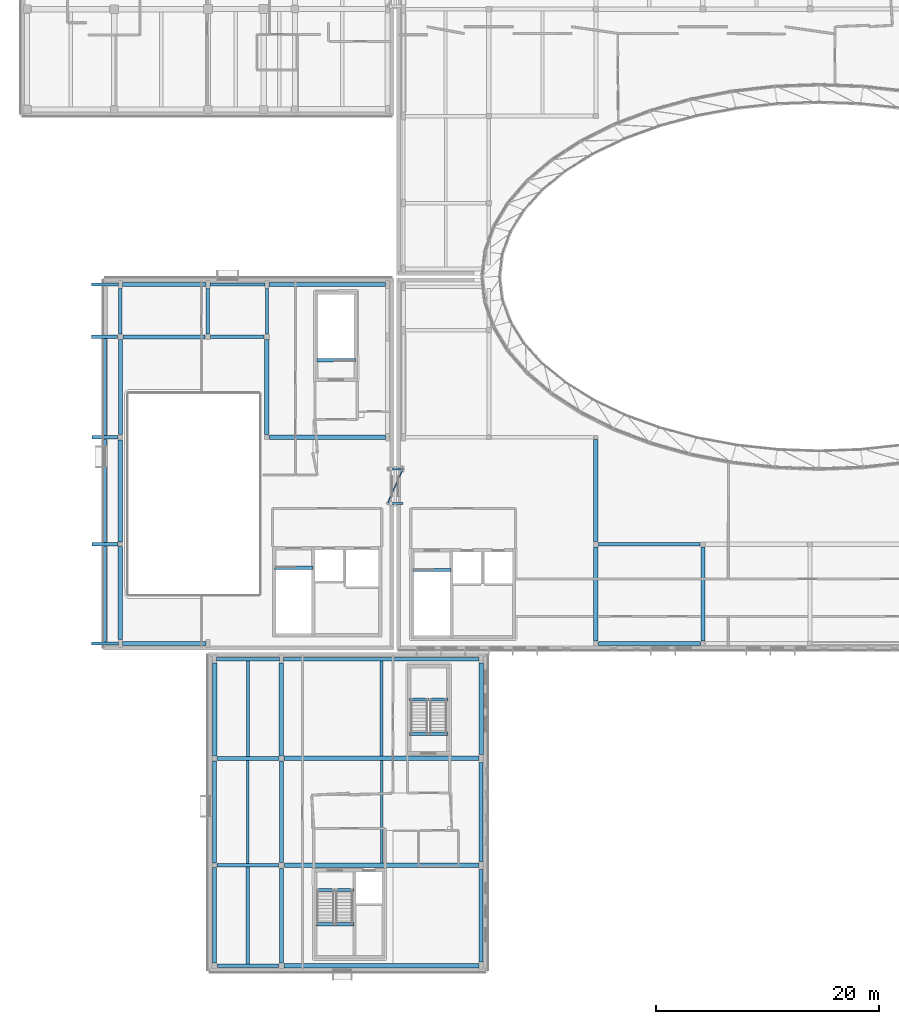
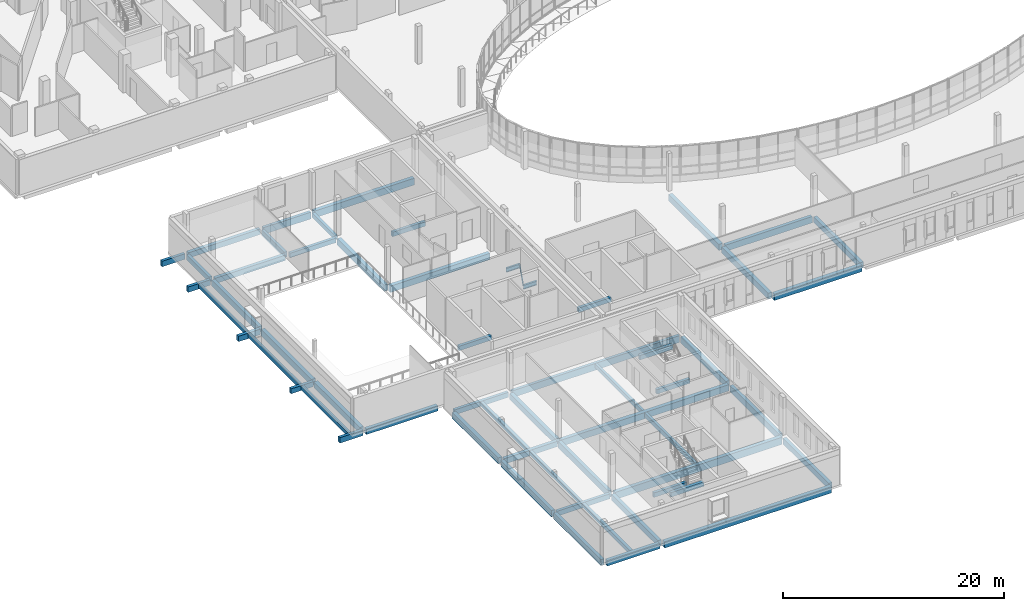
# One storey, part 9 of 73: 58 beams, 1 member.
"""IFC4 building model written with IfcOpenShell, lengths in metres."""

from ifc_helpers import new_model, si_unit, direction, frame, origin, origin_2d, place, context, subcontext, project, spatial, rectangle, hollow_rectangle, i_section, extrude, material, material_profile, profile_set, type_object, element, save


model = new_model("IFC4")

# Units and contexts
model_context = context("Model", 3, precision=1e-05, world=origin(), true_north=direction((0.0, 1.0)))
body_context = subcontext(model_context, "Body", "Model", "MODEL_VIEW")
ifc_project = project(units=[si_unit("LENGTHUNIT", "METRE"), si_unit("AREAUNIT", "SQUARE_METRE"), si_unit("VOLUMEUNIT", "CUBIC_METRE"), si_unit("PLANEANGLEUNIT", "RADIAN"), si_unit("MASSUNIT", "GRAM", prefix="KILO")], contexts=[model_context])

# Site, building, storey
site_placement = place(None, origin())
site = spatial("IfcSite", under=ifc_project, at=site_placement, CompositionType="ELEMENT")
building_placement = place(site_placement, origin())
building = spatial("IfcBuilding", under=site, at=building_placement, Name="Mzevani Central Library", CompositionType="ELEMENT")
storey_placement = place(building_placement, frame((0.0, 0.0, 9.60009765625)))
storey = spatial("IfcBuildingStorey", under=building, at=storey_placement, Name="L02", CompositionType="ELEMENT", Elevation=9.60009765625)

# Beams
ifc_material_1 = material(Name="Concrete C35/45", Category="concrete")
ifc_material_profile_1 = material_profile(ifc_material_1, rectangle(XDim=0.300048828125, YDim=0.5, at=origin_2d()), Name="RC B300x500")
ifc_profile_set_1 = profile_set([ifc_material_profile_1], Name="Concrete C35/45")
beam_type_1 = type_object("IfcBeamType", Name="Beam RC 300x500", PredefinedType="BEAM", material=ifc_profile_set_1)
beam_1_placement = place(storey_placement, frame((29.449951171875, 70.60009765625, -0.510009765625), z_axis=(1.0, 0.0, 0.0), x_axis=(0.0, 1.0, 0.0)))
element("IfcBeam", 1, at=beam_1_placement, inside=storey, type_object=beam_type_1, Name="L02 V5 Girder B-01 (992)", PredefinedType="BEAM", context=body_context, shape_type="SweptSolid", body=[
    extrude(rectangle(XDim=0.300048828125, YDim=0.5, at=origin_2d()), origin(), (0.0, 0.0, 1.0), 4.800048828125),
])
beam_2_placement = place(storey_placement, frame((34.5, 70.85009765625, -0.510009765625), z_axis=(0.0, 1.0, 0.0), x_axis=(-1.0, 0.0, 0.0)))
element("IfcBeam", 2, at=beam_2_placement, inside=storey, type_object=beam_type_1, Name="L02 V5 Frame Beam B-01 (1012)", PredefinedType="BEAM", context=body_context, shape_type="SweptSolid", body=[
    extrude(rectangle(XDim=0.300048828125, YDim=0.5, at=origin_2d()), origin(), (0.0, 0.0, 1.0), 4.099853515625),
])
beam_3_placement = place(storey_placement, frame((47.580078125, 49.699951171875, -0.25), z_axis=(1.0, 0.0, 0.0), x_axis=(0.0, 1.0, 0.0)))
element("IfcBeam", 3, at=beam_3_placement, inside=storey, type_object=beam_type_1, Name="L02 Core C1A Reading Hall West Stair Opening Trimmer Beam", PredefinedType="BEAM", context=body_context, shape_type="SweptSolid", body=[
    extrude(rectangle(XDim=0.300048828125, YDim=0.5, at=origin_2d()), origin(), (0.0, 0.0, 1.0), 3.43994140625),
])
for number, where, z_axis, x_axis, name in (
    (4, (38.8798828125, 17.919921875, 1.64990234375), (1.0, 0.0, 0.0), (0.0, 1.0, 0.0), "L02 Core C4A Cultural Wing Core Stair Landing Beam 1"),
    (5, (38.8798828125, 21.0, -0.25), (1.0, 0.0, 0.0), (0.0, 1.0, 0.0), "L02 Core C4A Cultural Wing Core Stair Opening Trimmer Beam"),
):
    element("IfcBeam", number, at=place(storey_placement, frame(where, z_axis=z_axis, x_axis=x_axis)), inside=storey, type_object=beam_type_1, Name=name, PredefinedType="BEAM", context=body_context, shape_type="SweptSolid", body=[
        extrude(rectangle(XDim=0.300048828125, YDim=0.5, at=origin_2d()), origin(), (0.0, 0.0, 1.0), 3.440185546875),
    ])
for number, where, z_axis, x_axis, name in (
    (6, (47.280029296875, 38.080078125, 1.64990234375), (1.0, 0.0, 0.0), (0.0, 1.0, 0.0), "L02 Core C4B Square South Escape Stair Stair Landing Beam 1"),
    (7, (47.280029296875, 35.0, -0.25), (1.0, 0.0, 0.0), (0.0, 1.0, 0.0), "L02 Core C4B Square South Escape Stair Stair Opening Trimmer Beam"),
):
    element("IfcBeam", number, at=place(storey_placement, frame(where, z_axis=z_axis, x_axis=x_axis)), inside=storey, type_object=beam_type_1, Name=name, PredefinedType="BEAM", context=body_context, shape_type="SweptSolid", body=[
        extrude(rectangle(XDim=0.300048828125, YDim=0.5, at=origin_2d()), origin(), (0.0, 0.0, 1.0), 3.43994140625),
    ])
beam_4_placement = place(storey_placement, frame((35.179931640625, 49.89990234375, -0.25), z_axis=(1.0, 0.0, 0.0), x_axis=(0.0, 1.0, 0.0)))
element("IfcBeam", 8, at=beam_4_placement, inside=storey, type_object=beam_type_1, Name="L02 Core C5A Auditorium & Goods Core Stair Opening Trimmer Beam", PredefinedType="BEAM", context=body_context, shape_type="SweptSolid", body=[
    extrude(rectangle(XDim=0.300048828125, YDim=0.5, at=origin_2d()), origin(), (0.0, 0.0, 1.0), 3.440185546875),
])
beam_5_placement = place(storey_placement, frame((38.97998046875, 68.5, -0.25), z_axis=(1.0, 0.0, 0.0), x_axis=(0.0, 1.0, 0.0)))
element("IfcBeam", 9, at=beam_5_placement, inside=storey, type_object=beam_type_1, Name="L02 Core C5B Lecture North Escape Stair Stair Opening Trimmer Beam", PredefinedType="BEAM", context=body_context, shape_type="SweptSolid", body=[
    extrude(rectangle(XDim=0.300048828125, YDim=0.5, at=origin_2d()), origin(), (0.0, 0.0, 1.0), 3.43994140625),
])
ifc_material_profile_2 = material_profile(ifc_material_1, rectangle(XDim=0.300048828125, YDim=0.550048828125, at=origin_2d()), Name="RC B300x550")
ifc_profile_set_2 = profile_set([ifc_material_profile_2], Name="Concrete C35/45")
beam_type_2 = type_object("IfcBeamType", Name="Beam RC 300x550", PredefinedType="BEAM", material=ifc_profile_set_2)
beam_6_placement = place(storey_placement, frame((30.0, 23.199951171875, -0.53515625), z_axis=(1.0, 0.0, 0.0), x_axis=(0.0, 1.0, 0.0)))
element("IfcBeam", 10, at=beam_6_placement, inside=storey, type_object=beam_type_2, Name="L02 V4 Girder B-02 (841)", PredefinedType="BEAM", context=body_context, shape_type="SweptSolid", body=[
    extrude(rectangle(XDim=0.300048828125, YDim=0.550048828125, at=origin_2d()), origin(), (0.0, 0.0, 1.0), 5.52490234375),
])
beam_7_placement = place(storey_placement, frame((29.97509765625, 41.699951171875, -0.53515625), z_axis=(1.0, 0.0, 0.0), x_axis=(0.0, 1.0, 0.0)))
element("IfcBeam", 11, at=beam_7_placement, inside=storey, type_object=beam_type_2, Name="L02 V4 Girder B-02 (845)", PredefinedType="BEAM", context=body_context, shape_type="SweptSolid", body=[
    extrude(rectangle(XDim=0.300048828125, YDim=0.550048828125, at=origin_2d()), origin(), (0.0, 0.0, 1.0), 5.64990234375),
])
beam_8_placement = place(storey_placement, frame((18.800048828125, 52.0, -0.53515625), z_axis=(1.0, 0.0, 0.0), x_axis=(0.0, 1.0, 0.0)))
element("IfcBeam", 12, at=beam_8_placement, inside=storey, type_object=beam_type_2, Name="L02 V5 Girder B-02 (985)", PredefinedType="BEAM", context=body_context, shape_type="SweptSolid", body=[
    extrude(rectangle(XDim=0.300048828125, YDim=0.550048828125, at=origin_2d()), origin(), (0.0, 0.0, 1.0), 2.349853515625),
])
beam_9_placement = place(storey_placement, frame((21.35009765625, 70.85009765625, -0.53515625), z_axis=(0.0, 1.0, 0.0), x_axis=(-1.0, 0.0, 0.0)))
element("IfcBeam", 13, at=beam_9_placement, inside=storey, type_object=beam_type_2, Name="L02 V5 Frame Beam B-02 (1009)", PredefinedType="BEAM", context=body_context, shape_type="SweptSolid", body=[
    extrude(rectangle(XDim=0.300048828125, YDim=0.550048828125, at=origin_2d()), origin(), (0.0, 0.0, 1.0), 4.099853515625),
])
ifc_material_profile_3 = material_profile(ifc_material_1, rectangle(XDim=0.300048828125, YDim=0.60009765625, at=origin_2d()), Name="RC B300x600")
ifc_profile_set_3 = profile_set([ifc_material_profile_3], Name="Concrete C35/45")
beam_type_3 = type_object("IfcBeamType", Name="Beam RC 300x600", PredefinedType="BEAM", material=ifc_profile_set_3)
beam_10_placement = place(storey_placement, frame((18.77490234375, 43.10009765625, -0.56005859375), z_axis=(1.0, 0.0, 0.0), x_axis=(0.0, 1.0, 0.0)))
element("IfcBeam", 14, at=beam_10_placement, inside=storey, type_object=beam_type_3, Name="L02 V5 Girder B-03 (982)", PredefinedType="BEAM", context=body_context, shape_type="SweptSolid", body=[
    extrude(rectangle(XDim=0.300048828125, YDim=0.60009765625, at=origin_2d()), origin(), (0.0, 0.0, 1.0), 2.400146484375),
])
beam_11_placement = place(storey_placement, frame((18.77490234375, 70.60009765625, -0.56005859375), z_axis=(1.0, 0.0, 0.0), x_axis=(0.0, 1.0, 0.0)))
element("IfcBeam", 15, at=beam_11_placement, inside=storey, type_object=beam_type_3, Name="L02 V5 Girder B-03 (990)", PredefinedType="BEAM", context=body_context, shape_type="SweptSolid", body=[
    extrude(rectangle(XDim=0.300048828125, YDim=0.60009765625, at=origin_2d()), origin(), (0.0, 0.0, 1.0), 2.3251953125),
])
beam_12_placement = place(storey_placement, frame((18.77490234375, 75.300048828125, -0.56005859375), z_axis=(1.0, 0.0, 0.0), x_axis=(0.0, 1.0, 0.0)))
element("IfcBeam", 16, at=beam_12_placement, inside=storey, type_object=beam_type_3, Name="L02 V5 Girder B-03 (994)", PredefinedType="BEAM", context=body_context, shape_type="SweptSolid", body=[
    extrude(rectangle(XDim=0.300048828125, YDim=0.60009765625, at=origin_2d()), origin(), (0.0, 0.0, 1.0), 2.400146484375),
])
beam_13_placement = place(storey_placement, frame((29.199951171875, 70.85009765625, -0.56005859375), z_axis=(0.0, 1.0, 0.0), x_axis=(-1.0, 0.0, 0.0)))
element("IfcBeam", 17, at=beam_13_placement, inside=storey, type_object=beam_type_3, Name="L02 V5 Frame Beam B-03 (1010)", PredefinedType="BEAM", context=body_context, shape_type="SweptSolid", body=[
    extrude(rectangle(XDim=0.300048828125, YDim=0.60009765625, at=origin_2d()), origin(), (0.0, 0.0, 1.0), 4.099853515625),
])
ifc_material_profile_4 = material_profile(ifc_material_1, rectangle(XDim=0.35009765625, YDim=0.60009765625, at=origin_2d()), Name="RC B350x600")
ifc_profile_set_4 = profile_set([ifc_material_profile_4], Name="Concrete C35/45")
beam_type_4 = type_object("IfcBeamType", Name="Beam RC 350x600", PredefinedType="BEAM", material=ifc_profile_set_4)
beam_14_placement = place(storey_placement, frame((30.050048828125, 14.199951171875, -0.56005859375), z_axis=(1.0, 0.0, 0.0), x_axis=(0.0, 1.0, 0.0)))
element("IfcBeam", 18, at=beam_14_placement, inside=storey, type_object=beam_type_4, Name="L02 V4 Girder B-04 (839)", PredefinedType="BEAM", context=body_context, shape_type="SweptSolid", body=[
    extrude(rectangle(XDim=0.35009765625, YDim=0.60009765625, at=origin_2d()), origin(), (0.0, 0.0, 1.0), 5.5),
])
beam_15_placement = place(storey_placement, frame((30.02490234375, 32.800048828125, -0.56005859375), z_axis=(1.0, 0.0, 0.0), x_axis=(0.0, 1.0, 0.0)))
element("IfcBeam", 19, at=beam_15_placement, inside=storey, type_object=beam_type_4, Name="L02 V4 Girder B-04 (843)", PredefinedType="BEAM", context=body_context, shape_type="SweptSolid", body=[
    extrude(rectangle(XDim=0.35009765625, YDim=0.60009765625, at=origin_2d()), origin(), (0.0, 0.0, 1.0), 5.550048828125),
])
beam_16_placement = place(storey_placement, frame((21.52490234375, 43.10009765625, -0.56005859375), z_axis=(1.0, 0.0, 0.0), x_axis=(0.0, 1.0, 0.0)))
element("IfcBeam", 20, at=beam_16_placement, inside=storey, type_object=beam_type_4, Name="L02 V5 Girder B-04 (983)", PredefinedType="BEAM", context=body_context, shape_type="SweptSolid", body=[
    extrude(rectangle(XDim=0.35009765625, YDim=0.60009765625, at=origin_2d()), origin(), (0.0, 0.0, 1.0), 7.5),
])
beam_17_placement = place(storey_placement, frame((18.824951171875, 61.60009765625, -0.56005859375), z_axis=(1.0, 0.0, 0.0), x_axis=(0.0, 1.0, 0.0)))
element("IfcBeam", 21, at=beam_17_placement, inside=storey, type_object=beam_type_4, Name="L02 V5 Girder B-04 (987)", PredefinedType="BEAM", context=body_context, shape_type="SweptSolid", body=[
    extrude(rectangle(XDim=0.35009765625, YDim=0.60009765625, at=origin_2d()), origin(), (0.0, 0.0, 1.0), 2.300048828125),
])
beam_18_placement = place(storey_placement, frame((21.60009765625, 70.60009765625, -0.56005859375), z_axis=(1.0, 0.0, 0.0), x_axis=(0.0, 1.0, 0.0)))
element("IfcBeam", 22, at=beam_18_placement, inside=storey, type_object=beam_type_4, Name="L02 V5 Girder B-04 (991)", PredefinedType="BEAM", context=body_context, shape_type="SweptSolid", body=[
    extrude(rectangle(XDim=0.35009765625, YDim=0.60009765625, at=origin_2d()), origin(), (0.0, 0.0, 1.0), 7.349853515625),
])
beam_19_placement = place(storey_placement, frame((21.52490234375, 75.300048828125, -0.56005859375), z_axis=(1.0, 0.0, 0.0), x_axis=(0.0, 1.0, 0.0)))
element("IfcBeam", 23, at=beam_19_placement, inside=storey, type_object=beam_type_4, Name="L02 V5 Girder B-04 (995)", PredefinedType="BEAM", context=body_context, shape_type="SweptSolid", body=[
    extrude(rectangle(XDim=0.35009765625, YDim=0.60009765625, at=origin_2d()), origin(), (0.0, 0.0, 1.0), 7.5),
])
ifc_material_profile_5 = material_profile(ifc_material_1, rectangle(XDim=0.35009765625, YDim=0.64990234375, at=origin_2d()), Name="RC B350x650")
ifc_profile_set_5 = profile_set([ifc_material_profile_5], Name="Concrete C35/45")
beam_type_5 = type_object("IfcBeamType", Name="Beam RC 350x650", PredefinedType="BEAM", material=ifc_profile_set_5)
beam_20_placement = place(storey_placement, frame((73.60009765625, 43.324951171875, -0.585205078125), z_axis=(0.0, 1.0, 0.0), x_axis=(-1.0, 0.0, 0.0)))
element("IfcBeam", 24, at=beam_20_placement, inside=storey, type_object=beam_type_5, Name="L02 V1 Frame Beam B-05 (120)", PredefinedType="BEAM", context=body_context, shape_type="SweptSolid", body=[
    extrude(rectangle(XDim=0.35009765625, YDim=0.64990234375, at=origin_2d()), origin(), (0.0, 0.0, 1.0), 8.425048828125),
])
beam_21_placement = place(storey_placement, frame((29.800048828125, 14.449951171875, -0.585205078125), z_axis=(0.0, 1.0, 0.0), x_axis=(-1.0, 0.0, 0.0)))
element("IfcBeam", 25, at=beam_21_placement, inside=storey, type_object=beam_type_5, Name="L02 V4 Frame Beam B-05 (848)", PredefinedType="BEAM", context=body_context, shape_type="SweptSolid", body=[
    extrude(rectangle(XDim=0.35009765625, YDim=0.64990234375, at=origin_2d()), origin(), (0.0, 0.0, 1.0), 8.550048828125),
])
beam_22_placement = place(storey_placement, frame((35.800048828125, 14.449951171875, -0.585205078125), z_axis=(0.0, 1.0, 0.0), x_axis=(-1.0, 0.0, 0.0)))
element("IfcBeam", 26, at=beam_22_placement, inside=storey, type_object=beam_type_5, Name="L02 V4 Frame Beam B-05 (852)", PredefinedType="BEAM", context=body_context, shape_type="SweptSolid", body=[
    extrude(rectangle(XDim=0.35009765625, YDim=0.64990234375, at=origin_2d()), origin(), (0.0, 0.0, 1.0), 8.47509765625),
])
beam_23_placement = place(storey_placement, frame((53.699951171875, 14.550048828125, -0.585205078125), z_axis=(0.0, 1.0, 0.0), x_axis=(-1.0, 0.0, 0.0)))
element("IfcBeam", 27, at=beam_23_placement, inside=storey, type_object=beam_type_5, Name="L02 V4 Frame Beam B-05 (856)", PredefinedType="BEAM", context=body_context, shape_type="SweptSolid", body=[
    extrude(rectangle(XDim=0.35009765625, YDim=0.64990234375, at=origin_2d()), origin(), (0.0, 0.0, 1.0), 8.300048828125),
])
beam_24_placement = place(storey_placement, frame((21.35009765625, 61.824951171875, -0.585205078125), z_axis=(0.0, 1.0, 0.0), x_axis=(-1.0, 0.0, 0.0)))
element("IfcBeam", 28, at=beam_24_placement, inside=storey, type_object=beam_type_5, Name="L02 V5 Frame Beam B-05 (1008)", PredefinedType="BEAM", context=body_context, shape_type="SweptSolid", body=[
    extrude(rectangle(XDim=0.35009765625, YDim=0.64990234375, at=origin_2d()), origin(), (0.0, 0.0, 1.0), 8.525146484375),
])
ifc_material_profile_6 = material_profile(ifc_material_1, rectangle(XDim=0.35009765625, YDim=0.699951171875, at=origin_2d()), Name="RC B350x700")
ifc_profile_set_6 = profile_set([ifc_material_profile_6], Name="Concrete C35/45")
beam_type_6 = type_object("IfcBeamType", Name="Beam RC 350x700", PredefinedType="BEAM", material=ifc_profile_set_6)
beam_25_placement = place(storey_placement, frame((64.25, 52.0, -0.610107421875), z_axis=(1.0, 0.0, 0.0), x_axis=(0.0, 1.0, 0.0)))
element("IfcBeam", 29, at=beam_25_placement, inside=storey, type_object=beam_type_6, Name="L02 V1 Girder B-06 (93)", PredefinedType="BEAM", context=body_context, shape_type="SweptSolid", body=[
    extrude(rectangle(XDim=0.35009765625, YDim=0.699951171875, at=origin_2d()), origin(), (0.0, 0.0, 1.0), 9.10009765625),
])
beam_26_placement = place(storey_placement, frame((29.800048828125, 23.39990234375, -0.610107421875), z_axis=(0.0, 1.0, 0.0), x_axis=(-1.0, 0.0, 0.0)))
element("IfcBeam", 30, at=beam_26_placement, inside=storey, type_object=beam_type_6, Name="L02 V4 Frame Beam B-06 (849)", PredefinedType="BEAM", context=body_context, shape_type="SweptSolid", body=[
    extrude(rectangle(XDim=0.35009765625, YDim=0.699951171875, at=origin_2d()), origin(), (0.0, 0.0, 1.0), 9.175048828125),
])
beam_27_placement = place(storey_placement, frame((35.800048828125, 23.47509765625, -0.610107421875), z_axis=(0.0, 1.0, 0.0), x_axis=(-1.0, 0.0, 0.0)))
element("IfcBeam", 31, at=beam_27_placement, inside=storey, type_object=beam_type_6, Name="L02 V4 Frame Beam B-06 (853)", PredefinedType="BEAM", context=body_context, shape_type="SweptSolid", body=[
    extrude(rectangle(XDim=0.35009765625, YDim=0.699951171875, at=origin_2d()), origin(), (0.0, 0.0, 1.0), 9.099853515625),
])
beam_28_placement = place(storey_placement, frame((53.699951171875, 23.550048828125, -0.610107421875), z_axis=(0.0, 1.0, 0.0), x_axis=(-1.0, 0.0, 0.0)))
element("IfcBeam", 32, at=beam_28_placement, inside=storey, type_object=beam_type_6, Name="L02 V4 Frame Beam B-06 (857)", PredefinedType="BEAM", context=body_context, shape_type="SweptSolid", body=[
    extrude(rectangle(XDim=0.35009765625, YDim=0.699951171875, at=origin_2d()), origin(), (0.0, 0.0, 1.0), 8.89990234375),
])
ifc_material_profile_7 = material_profile(ifc_material_1, rectangle(XDim=0.39990234375, YDim=0.64990234375, at=origin_2d()), Name="RC B400x650")
ifc_profile_set_7 = profile_set([ifc_material_profile_7], Name="Concrete C35/45")
beam_type_7 = type_object("IfcBeamType", Name="Beam RC 400x650", PredefinedType="BEAM", material=ifc_profile_set_7)
beam_29_placement = place(storey_placement, frame((64.0, 43.324951171875, -0.585205078125), z_axis=(0.0, 1.0, 0.0), x_axis=(-1.0, 0.0, 0.0)))
element("IfcBeam", 33, at=beam_29_placement, inside=storey, type_object=beam_type_7, Name="L02 V1 Frame Beam B-07 (118)", PredefinedType="BEAM", context=body_context, shape_type="SweptSolid", body=[
    extrude(rectangle(XDim=0.39990234375, YDim=0.64990234375, at=origin_2d()), origin(), (0.0, 0.0, 1.0), 8.425048828125),
])
for number, where, z_axis, x_axis, name in (
    (34, (29.800048828125, 33.02490234375, -0.585205078125), (0.0, 1.0, 0.0), (-1.0, 0.0, 0.0), "L02 V4 Frame Beam B-07 (850)"),
    (35, (35.800048828125, 33.02490234375, -0.585205078125), (0.0, 1.0, 0.0), (-1.0, 0.0, 0.0), "L02 V4 Frame Beam B-07 (854)"),
):
    element("IfcBeam", number, at=place(storey_placement, frame(where, z_axis=z_axis, x_axis=x_axis)), inside=storey, type_object=beam_type_7, Name=name, PredefinedType="BEAM", context=body_context, shape_type="SweptSolid", body=[
        extrude(rectangle(XDim=0.39990234375, YDim=0.64990234375, at=origin_2d()), origin(), (0.0, 0.0, 1.0), 8.3251953125),
    ])
beam_30_placement = place(storey_placement, frame((53.699951171875, 33.14990234375, -0.585205078125), z_axis=(0.0, 1.0, 0.0), x_axis=(-1.0, 0.0, 0.0)))
element("IfcBeam", 36, at=beam_30_placement, inside=storey, type_object=beam_type_7, Name="L02 V4 Frame Beam B-07 (858)", PredefinedType="BEAM", context=body_context, shape_type="SweptSolid", body=[
    extrude(rectangle(XDim=0.39990234375, YDim=0.64990234375, at=origin_2d()), origin(), (0.0, 0.0, 1.0), 8.2001953125),
])
beam_31_placement = place(storey_placement, frame((21.35009765625, 43.449951171875, -0.585205078125), z_axis=(0.0, 1.0, 0.0), x_axis=(-1.0, 0.0, 0.0)))
element("IfcBeam", 37, at=beam_31_placement, inside=storey, type_object=beam_type_7, Name="L02 V5 Frame Beam B-07 (1006)", PredefinedType="BEAM", context=body_context, shape_type="SweptSolid", body=[
    extrude(rectangle(XDim=0.39990234375, YDim=0.64990234375, at=origin_2d()), origin(), (0.0, 0.0, 1.0), 8.35009765625),
])
ifc_material_profile_8 = material_profile(ifc_material_1, rectangle(XDim=0.39990234375, YDim=0.699951171875, at=origin_2d()), Name="RC B400x700")
ifc_profile_set_8 = profile_set([ifc_material_profile_8], Name="Concrete C35/45")
beam_type_8 = type_object("IfcBeamType", Name="Beam RC 400x700", PredefinedType="BEAM", material=ifc_profile_set_8)
for number, where, z_axis, x_axis, name in (
    (38, (64.22509765625, 43.10009765625, -0.610107421875), (1.0, 0.0, 0.0), (0.0, 1.0, 0.0), "L02 V1 Girder B-08 (79)"),
    (39, (64.0, 52.25, -0.610107421875), (0.0, 1.0, 0.0), (-1.0, 0.0, 0.0), "L02 V1 Frame Beam B-08 (119)"),
):
    element("IfcBeam", number, at=place(storey_placement, frame(where, z_axis=z_axis, x_axis=x_axis)), inside=storey, type_object=beam_type_8, Name=name, PredefinedType="BEAM", context=body_context, shape_type="SweptSolid", body=[
        extrude(rectangle(XDim=0.39990234375, YDim=0.699951171875, at=origin_2d()), origin(), (0.0, 0.0, 1.0), 9.14990234375),
    ])
beam_32_placement = place(storey_placement, frame((36.050048828125, 14.199951171875, -0.610107421875), z_axis=(1.0, 0.0, 0.0), x_axis=(0.0, 1.0, 0.0)))
element("IfcBeam", 40, at=beam_32_placement, inside=storey, type_object=beam_type_8, Name="L02 V4 Girder B-08 (840)", PredefinedType="BEAM", context=body_context, shape_type="SweptSolid", body=[
    extrude(rectangle(XDim=0.39990234375, YDim=0.699951171875, at=origin_2d()), origin(), (0.0, 0.0, 1.0), 17.474853515625),
])
beam_33_placement = place(storey_placement, frame((36.02490234375, 32.800048828125, -0.610107421875), z_axis=(1.0, 0.0, 0.0), x_axis=(0.0, 1.0, 0.0)))
element("IfcBeam", 41, at=beam_33_placement, inside=storey, type_object=beam_type_8, Name="L02 V4 Girder B-08 (844)", PredefinedType="BEAM", context=body_context, shape_type="SweptSolid", body=[
    extrude(rectangle(XDim=0.39990234375, YDim=0.699951171875, at=origin_2d()), origin(), (0.0, 0.0, 1.0), 17.5),
])
beam_34_placement = place(storey_placement, frame((34.72509765625, 61.60009765625, -0.610107421875), z_axis=(1.0, 0.0, 0.0), x_axis=(0.0, 1.0, 0.0)))
element("IfcBeam", 42, at=beam_34_placement, inside=storey, type_object=beam_type_8, Name="L02 V5 Girder B-08 (988)", PredefinedType="BEAM", context=body_context, shape_type="SweptSolid", body=[
    extrude(rectangle(XDim=0.39990234375, YDim=0.699951171875, at=origin_2d()), origin(), (0.0, 0.0, 1.0), 10.39990234375),
])
beam_35_placement = place(storey_placement, frame((21.35009765625, 52.199951171875, -0.610107421875), z_axis=(0.0, 1.0, 0.0), x_axis=(-1.0, 0.0, 0.0)))
element("IfcBeam", 43, at=beam_35_placement, inside=storey, type_object=beam_type_8, Name="L02 V5 Frame Beam B-08 (1007)", PredefinedType="BEAM", context=body_context, shape_type="SweptSolid", body=[
    extrude(rectangle(XDim=0.39990234375, YDim=0.699951171875, at=origin_2d()), origin(), (0.0, 0.0, 1.0), 9.175048828125),
])
beam_36_placement = place(storey_placement, frame((34.5, 61.824951171875, -0.610107421875), z_axis=(0.0, 1.0, 0.0), x_axis=(-1.0, 0.0, 0.0)))
element("IfcBeam", 44, at=beam_36_placement, inside=storey, type_object=beam_type_8, Name="L02 V5 Frame Beam B-08 (1011)", PredefinedType="BEAM", context=body_context, shape_type="SweptSolid", body=[
    extrude(rectangle(XDim=0.39990234375, YDim=0.699951171875, at=origin_2d()), origin(), (0.0, 0.0, 1.0), 8.525146484375),
])
ifc_material_profile_9 = material_profile(ifc_material_1, rectangle(XDim=0.39990234375, YDim=0.75, at=origin_2d()), Name="RC B400x750")
ifc_profile_set_9 = profile_set([ifc_material_profile_9], Name="Concrete C35/45")
beam_type_9 = type_object("IfcBeamType", Name="Beam RC 400x750", PredefinedType="BEAM", material=ifc_profile_set_9)
beam_37_placement = place(storey_placement, frame((34.675048828125, 75.300048828125, -0.635009765625), z_axis=(1.0, 0.0, 0.0), x_axis=(0.0, 1.0, 0.0)))
element("IfcBeam", 45, at=beam_37_placement, inside=storey, type_object=beam_type_9, Name="L02 V5 Girder B-09 (997)", PredefinedType="BEAM", context=body_context, shape_type="SweptSolid", body=[
    extrude(rectangle(XDim=0.39990234375, YDim=0.75, at=origin_2d()), origin(), (0.0, 0.0, 1.0), 10.449951171875),
])
ifc_material_profile_10 = material_profile(ifc_material_1, rectangle(XDim=0.39990234375, YDim=0.800048828125, at=origin_2d()), Name="RC B400x800")
ifc_profile_set_10 = profile_set([ifc_material_profile_10], Name="Concrete C35/45")
beam_type_10 = type_object("IfcBeamType", Name="Beam RC 400x800", PredefinedType="BEAM", material=ifc_profile_set_10)
beam_38_placement = place(storey_placement, frame((36.074951171875, 23.199951171875, -0.66015625), z_axis=(1.0, 0.0, 0.0), x_axis=(0.0, 1.0, 0.0)))
element("IfcBeam", 46, at=beam_38_placement, inside=storey, type_object=beam_type_10, Name="L02 V4 Girder B-10 (842)", PredefinedType="BEAM", context=body_context, shape_type="SweptSolid", body=[
    extrude(rectangle(XDim=0.39990234375, YDim=0.800048828125, at=origin_2d()), origin(), (0.0, 0.0, 1.0), 17.449951171875),
])
ifc_material_2 = material(Name="Steel S355J2", Category="steel")
ifc_material_profile_11 = material_profile(ifc_material_2, i_section(OverallWidth=0.18994140625, OverallDepth=0.449951171875, WebThickness=0.009521484375, FlangeThickness=0.0146484375, FilletRadius=0.02099609375, at=origin_2d()), Name="IPE 450")
ifc_profile_set_11 = profile_set([ifc_material_profile_11], Name="Steel S355J2")
beam_type_11 = type_object("IfcBeamType", Name="Bridge Primary Girder IPE 450", PredefinedType="BEAM", material=ifc_profile_set_11)
for number, where, z_axis, x_axis, name in (
    (47, (45.300048828125, 55.64990234375, -0.550048828125), (1.0, 0.0, 0.0), (0.0, 1.0, 0.0), "L02 West Reading Seismic Passage L02 Girder 1"),
    (48, (45.300048828125, 58.75, -0.550048828125), (1.0, 0.0, 0.0), (0.0, 1.0, 0.0), "L02 West Reading Seismic Passage L02 Girder 2"),
):
    element("IfcBeam", number, at=place(storey_placement, frame(where, z_axis=z_axis, x_axis=x_axis)), inside=storey, type_object=beam_type_11, Name=name, PredefinedType="BEAM", context=body_context, shape_type="SweptSolid", body=[
        extrude(i_section(OverallWidth=0.18994140625, OverallDepth=0.449951171875, WebThickness=0.009521484375, FlangeThickness=0.0146484375, FilletRadius=0.02099609375, at=origin_2d()), origin(), (0.0, 0.0, 1.0), 1.39990234375),
    ])

# Member
ifc_material_profile_12 = material_profile(ifc_material_2, hollow_rectangle(XDim=0.10009765625, YDim=0.179931640625, WallThickness=0.008056640625, at=origin_2d()), Name="RHS 180x100x8.0")
ifc_profile_set_12 = profile_set([ifc_material_profile_12], Name="Steel S355J2")
member_type = type_object("IfcMemberType", Name="Bridge Truss Chord RHS 180x100", PredefinedType="CHORD", material=ifc_profile_set_12)
member_placement = place(storey_placement, frame((45.300048828125, 55.64990234375, -0.380126953125), z_axis=(0.411552106839, 0.911386231713, 0.0), x_axis=(-0.911386231713, 0.411552106839, 0.0)))
element("IfcMember", 49, at=member_placement, inside=storey, type_object=member_type, Name="L02 West Reading Seismic Passage L02 Diaphragm Chord", PredefinedType="CHORD", context=body_context, shape_type="SweptSolid", body=[
    extrude(hollow_rectangle(XDim=0.10009765625, YDim=0.179931640625, WallThickness=0.008056640625, at=origin_2d()), origin(), (0.0, 0.0, 1.0), 3.401611328125),
])

# Beams
ifc_material_3 = material(Name="Precast concrete C40/50", Category="concrete")
ifc_material_profile_13 = material_profile(ifc_material_3, rectangle(XDim=0.300048828125, YDim=0.75, at=origin_2d()), Name="RC SP300x750")
ifc_profile_set_13 = profile_set([ifc_material_profile_13], Name="Precast concrete C40/50")
beam_type_12 = type_object("IfcBeamType", Name="Edge Spandrel Beam RC 300x750", PredefinedType="SPANDREL", material=ifc_profile_set_13)
beam_39_placement = place(storey_placement, frame((35.97509765625, 41.699951171875, -0.635009765625), z_axis=(1.0, 0.0, 0.0), x_axis=(0.0, 1.0, 0.0)))
element("IfcBeam", 50, at=beam_39_placement, inside=storey, type_object=beam_type_12, Name="L02 V4 Girder SP-01 (846)", PredefinedType="SPANDREL", context=body_context, shape_type="SweptSolid", body=[
    extrude(rectangle(XDim=0.300048828125, YDim=0.75, at=origin_2d()), origin(), (0.0, 0.0, 1.0), 17.5498046875),
])
beam_40_placement = place(storey_placement, frame((29.375, 75.300048828125, -0.635009765625), z_axis=(1.0, 0.0, 0.0), x_axis=(0.0, 1.0, 0.0)))
element("IfcBeam", 51, at=beam_40_placement, inside=storey, type_object=beam_type_12, Name="L02 V5 Girder SP-01 (996)", PredefinedType="SPANDREL", context=body_context, shape_type="SweptSolid", body=[
    extrude(rectangle(XDim=0.300048828125, YDim=0.75, at=origin_2d()), origin(), (0.0, 0.0, 1.0), 4.949951171875),
])
ifc_material_profile_14 = material_profile(ifc_material_1, rectangle(XDim=0.25, YDim=0.449951171875, at=origin_2d()), Name="RC J250x450")
ifc_profile_set_14 = profile_set([ifc_material_profile_14], Name="Concrete C35/45")
beam_type_13 = type_object("IfcBeamType", Name="Floor Joist RC 250x450", PredefinedType="JOIST", material=ifc_profile_set_14)
beam_41_placement = place(storey_placement, frame((32.77490234375, 23.35009765625, -0.485107421875), z_axis=(0.0, 1.0, 0.0), x_axis=(-1.0, 0.0, 0.0)))
element("IfcBeam", 52, at=beam_41_placement, inside=storey, type_object=beam_type_13, Name="L02 V4 Floor Joist BJ-01 (861)", PredefinedType="JOIST", context=body_context, shape_type="SweptSolid", body=[
    extrude(rectangle(XDim=0.25, YDim=0.449951171875, at=origin_2d()), origin(), (0.0, 0.0, 1.0), 9.27490234375),
])
beam_42_placement = place(storey_placement, frame((44.77490234375, 33.0, -0.485107421875), z_axis=(0.0, 1.0, 0.0), x_axis=(-1.0, 0.0, 0.0)))
element("IfcBeam", 53, at=beam_42_placement, inside=storey, type_object=beam_type_13, Name="L02 V4 Floor Joist BJ-01 (864)", PredefinedType="JOIST", context=body_context, shape_type="SweptSolid", body=[
    extrude(rectangle(XDim=0.25, YDim=0.449951171875, at=origin_2d()), origin(), (0.0, 0.0, 1.0), 8.550048828125),
])
beam_43_placement = place(storey_placement, frame((19.96240234375, 61.77490234375, -0.485107421875), z_axis=(0.0, 1.0, 0.0), x_axis=(-1.0, 0.0, 0.0)))
element("IfcBeam", 54, at=beam_43_placement, inside=storey, type_object=beam_type_13, Name="L02 V5 Floor Joist BJ-01 (1020)", PredefinedType="JOIST", context=body_context, shape_type="SweptSolid", body=[
    extrude(rectangle(XDim=0.25, YDim=0.449951171875, at=origin_2d()), origin(), (0.0, 0.0, 1.0), 8.675048828125),
])
ifc_material_profile_15 = material_profile(ifc_material_1, rectangle(XDim=0.25, YDim=0.5, at=origin_2d()), Name="RC J250x500")
ifc_profile_set_15 = profile_set([ifc_material_profile_15], Name="Concrete C35/45")
beam_type_14 = type_object("IfcBeamType", Name="Floor Joist RC 250x500", PredefinedType="JOIST", material=ifc_profile_set_15)
beam_44_placement = place(storey_placement, frame((44.800048828125, 23.39990234375, -0.510009765625), z_axis=(0.0, 1.0, 0.0), x_axis=(-1.0, 0.0, 0.0)))
element("IfcBeam", 55, at=beam_44_placement, inside=storey, type_object=beam_type_14, Name="L02 V4 Floor Joist BJ-02 (862)", PredefinedType="JOIST", context=body_context, shape_type="SweptSolid", body=[
    extrude(rectangle(XDim=0.25, YDim=0.5, at=origin_2d()), origin(), (0.0, 0.0, 1.0), 9.2001953125),
])
beam_45_placement = place(storey_placement, frame((19.97509765625, 52.14990234375, -0.510009765625), z_axis=(0.0, 1.0, 0.0), x_axis=(-1.0, 0.0, 0.0)))
element("IfcBeam", 56, at=beam_45_placement, inside=storey, type_object=beam_type_14, Name="L02 V5 Floor Joist BJ-02 (1018)", PredefinedType="JOIST", context=body_context, shape_type="SweptSolid", body=[
    extrude(rectangle(XDim=0.25, YDim=0.5, at=origin_2d()), origin(), (0.0, 0.0, 1.0), 9.275146484375),
])
ifc_material_profile_16 = material_profile(ifc_material_1, rectangle(XDim=0.300048828125, YDim=0.449951171875, at=origin_2d()), Name="RC J300x450")
ifc_profile_set_16 = profile_set([ifc_material_profile_16], Name="Concrete C35/45")
beam_type_15 = type_object("IfcBeamType", Name="Floor Joist RC 300x450", PredefinedType="JOIST", material=ifc_profile_set_16)
beam_46_placement = place(storey_placement, frame((32.78759765625, 14.375, -0.485107421875), z_axis=(0.0, 1.0, 0.0), x_axis=(-1.0, 0.0, 0.0)))
element("IfcBeam", 57, at=beam_46_placement, inside=storey, type_object=beam_type_15, Name="L02 V4 Floor Joist BJ-03 (860)", PredefinedType="JOIST", context=body_context, shape_type="SweptSolid", body=[
    extrude(rectangle(XDim=0.300048828125, YDim=0.449951171875, at=origin_2d()), origin(), (0.0, 0.0, 1.0), 8.675048828125),
])
beam_47_placement = place(storey_placement, frame((32.800048828125, 32.97509765625, -0.485107421875), z_axis=(0.0, 1.0, 0.0), x_axis=(-1.0, 0.0, 0.0)))
element("IfcBeam", 58, at=beam_47_placement, inside=storey, type_object=beam_type_15, Name="L02 V4 Floor Joist BJ-03 (863)", PredefinedType="JOIST", context=body_context, shape_type="SweptSolid", body=[
    extrude(rectangle(XDim=0.300048828125, YDim=0.449951171875, at=origin_2d()), origin(), (0.0, 0.0, 1.0), 8.574951171875),
])
beam_48_placement = place(storey_placement, frame((19.97509765625, 43.25, -0.485107421875), z_axis=(0.0, 1.0, 0.0), x_axis=(-1.0, 0.0, 0.0)))
element("IfcBeam", 59, at=beam_48_placement, inside=storey, type_object=beam_type_15, Name="L02 V5 Floor Joist BJ-03 (1016)", PredefinedType="JOIST", context=body_context, shape_type="SweptSolid", body=[
    extrude(rectangle(XDim=0.300048828125, YDim=0.449951171875, at=origin_2d()), origin(), (0.0, 0.0, 1.0), 8.60009765625),
])

save(model, "model.ifc")
